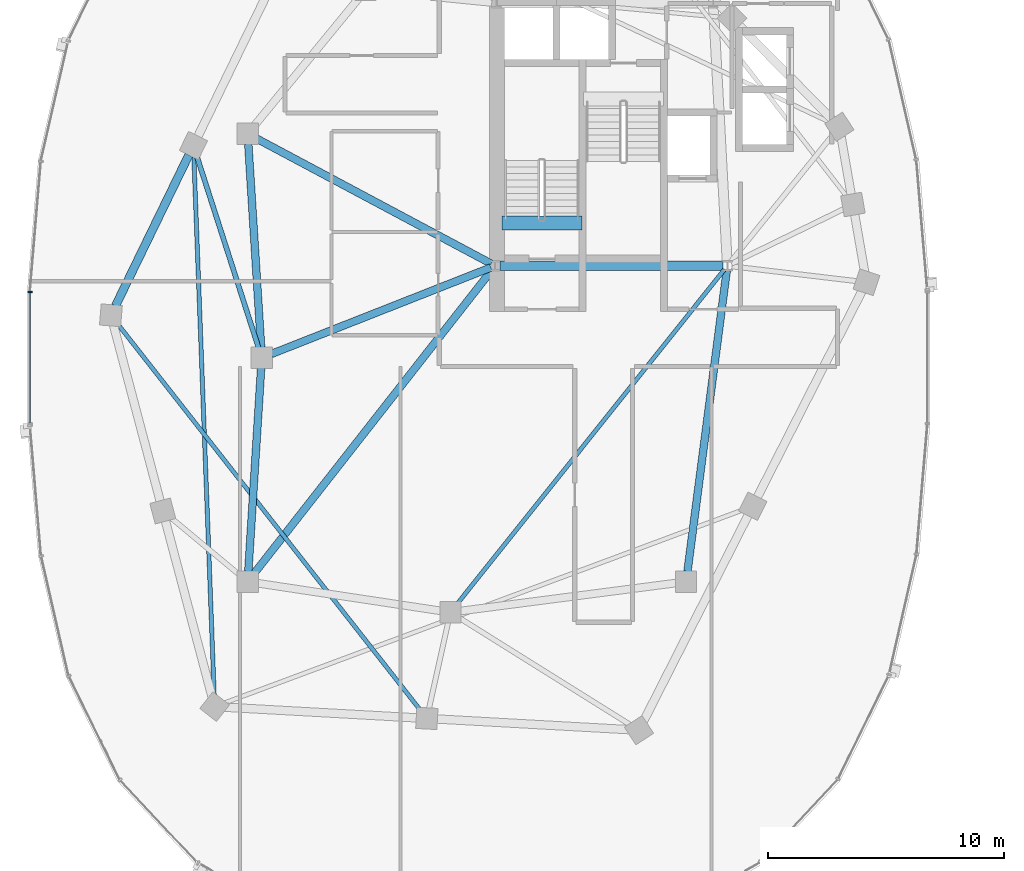
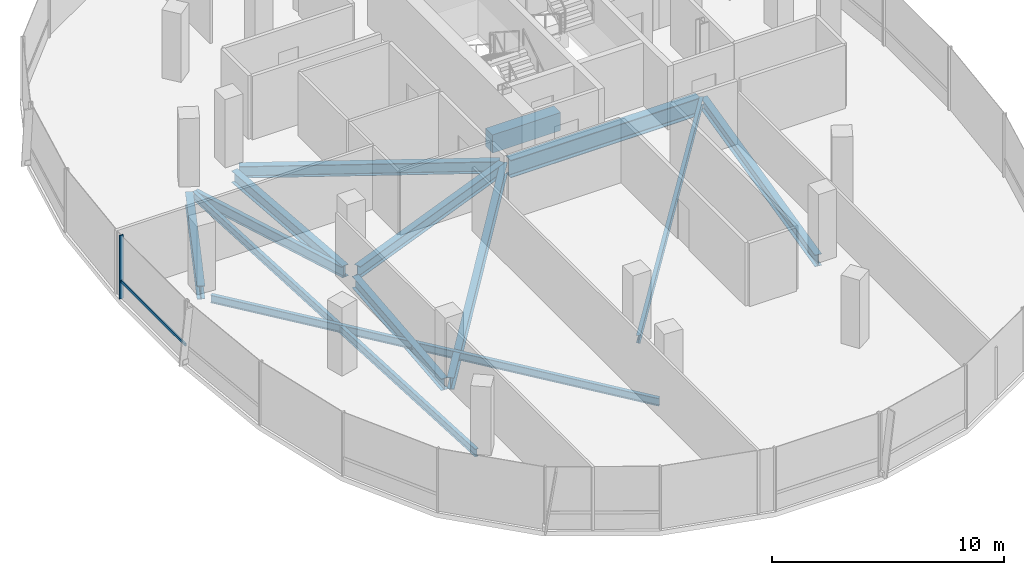
# One storey, part 4 of 25: 13 beams, 2 members, 1 element without a shape of its own.
"""IFC4 building model written with IfcOpenShell, lengths in metres."""

from ifc_helpers import new_model, si_unit, direction, frame, origin, origin_2d, place, context, subcontext, project, spatial, rectangle, i_section, extrude, material, material_profile, profile_set, type_object, element, aggregate, save


model = new_model("IFC4")

# Units and contexts
model_context = context("Model", 3, precision=1e-05, world=origin(), true_north=direction((0.0, 1.0)))
body_context = subcontext(model_context, "Body", "Model", "MODEL_VIEW")
ifc_project = project(units=[si_unit("LENGTHUNIT", "METRE"), si_unit("AREAUNIT", "SQUARE_METRE"), si_unit("VOLUMEUNIT", "CUBIC_METRE"), si_unit("PLANEANGLEUNIT", "RADIAN"), si_unit("MASSUNIT", "GRAM", prefix="KILO"), si_unit("THERMODYNAMICTEMPERATUREUNIT", "KELVIN"), si_unit("POWERUNIT", "WATT")], contexts=[model_context])

# Site, building, storey
site_placement = place(None, origin())
site = spatial("IfcSite", under=ifc_project, at=site_placement, CompositionType="ELEMENT")
building_placement = place(site_placement, origin())
building = spatial("IfcBuilding", under=site, at=building_placement, Name="Cundina Bronze Exchange", CompositionType="ELEMENT")
storey_placement = place(building_placement, frame((0.0, 0.0, 195.39990234375)))
storey = spatial("IfcBuildingStorey", under=building, at=storey_placement, Name="L51", CompositionType="ELEMENT", Elevation=195.39990234375)

# Beams
ifc_material_1 = material(Name="Concrete C60/75", Category="concrete")
ifc_material_profile_1 = material_profile(ifc_material_1, rectangle(XDim=0.60009765625, YDim=0.949951171875, at=origin_2d()), Name="RC600X950", Category="concrete")
ifc_profile_set_1 = profile_set([ifc_material_profile_1], Name="Concrete C60/75")
beam_type_1 = type_object("IfcBeamType", Name="BM-COUP-RC950", PredefinedType="LINTEL", material=ifc_profile_set_1)
beam_1_placement = place(storey_placement, frame((-31.02001953125, 5.719970703125, -0.474853515625), z_axis=(1.0, 0.0, 0.0), x_axis=(0.0, 1.0, 0.0)))
element("IfcBeam", 1, at=beam_1_placement, inside=storey, type_object=beam_type_1, Name="L51 Stair W1 Landing Header Beam", PredefinedType="LINTEL", context=body_context, shape_type="SweptSolid", body=[
    extrude(rectangle(XDim=0.60009765625, YDim=0.949951171875, at=origin_2d()), origin(), (0.0, 0.0, 1.0), 3.39990234375),
])
ifc_material_2 = material(Name="Steel ASTM A992 Grade 50", Category="steel")
ifc_material_profile_2 = material_profile(ifc_material_2, i_section(OverallWidth=0.2119140625, OverallDepth=0.5439453125, WebThickness=0.01318359375, FlangeThickness=0.021240234375, FilletRadius=0.013916015625, at=origin_2d()), Name="W21X83", Category="steel")
ifc_profile_set_2 = profile_set([ifc_material_profile_2], Name="Steel ASTM A992 Grade 50")
beam_type_2 = type_object("IfcBeamType", Name="BM-FLR-W21A", PredefinedType="BEAM", material=ifc_profile_set_2)
beam_2_placement = place(storey_placement, frame((-41.334228515625, 0.4169921875, -0.531982421875), z_axis=(-0.306727566953, 0.951797352208, 0.0), x_axis=(-0.951797352208, -0.306727566953, 0.0)))
element("IfcBeam", 2, at=beam_2_placement, inside=storey, type_object=beam_type_2, Name="L51 Leg W Radial Floor Beam 07", PredefinedType="BEAM", context=body_context, shape_type="SweptSolid", body=[
    extrude(i_section(OverallWidth=0.2119140625, OverallDepth=0.5439453125, WebThickness=0.01318359375, FlangeThickness=0.021240234375, FilletRadius=0.013916015625, at=origin_2d()), origin(), (0.0, 0.0, 1.0), 8.57958984375),
])
ifc_material_profile_3 = material_profile(ifc_material_2, i_section(OverallWidth=0.178955078125, OverallDepth=0.409912109375, WebThickness=0.0087890625, FlangeThickness=0.014404296875, FilletRadius=0.010986328125, at=origin_2d()), Name="W16X45", Category="steel")
ifc_profile_set_3 = profile_set([ifc_material_profile_3], Name="Steel ASTM A992 Grade 50")
beam_type_3 = type_object("IfcBeamType", Name="BM-JST-W16", PredefinedType="JOIST", material=ifc_profile_set_3)
beam_3_placement = place(storey_placement, frame((-21.572509765625, 3.746826171875, -0.46484375), z_axis=(-0.624364266872, -0.781133319129, 0.0), x_axis=(0.781133319129, -0.624364266872, 0.0)))
element("IfcBeam", 3, at=beam_3_placement, inside=storey, type_object=beam_type_3, Name="L51 W Interior Core-to-Ring Joist 2", PredefinedType="JOIST", context=body_context, shape_type="SweptSolid", body=[
    extrude(i_section(OverallWidth=0.178955078125, OverallDepth=0.409912109375, WebThickness=0.0087890625, FlangeThickness=0.014404296875, FilletRadius=0.010986328125, at=origin_2d()), origin(), (0.0, 0.0, 1.0), 18.184814453125),
])
beam_4_placement = place(storey_placement, frame((-44.08349609375, 8.562255859375, -0.46484375), z_axis=(0.037790216102, -0.999285694667, 0.0), x_axis=(0.999285694667, 0.037790216102, 0.0)))
element("IfcBeam", 4, at=beam_4_placement, inside=storey, type_object=beam_type_3, Name="L51 Leg W Lobe Floor Joist 07-10", PredefinedType="JOIST", context=body_context, shape_type="SweptSolid", body=[
    extrude(i_section(OverallWidth=0.178955078125, OverallDepth=0.409912109375, WebThickness=0.0087890625, FlangeThickness=0.014404296875, FilletRadius=0.010986328125, at=origin_2d()), origin(), (0.0, 0.0, 1.0), 22.94091796875),
])
beam_5_placement = place(storey_placement, frame((-47.329833984375, 1.455078125, -0.46484375), z_axis=(0.616810493522, -0.787111691618, 0.0), x_axis=(0.787111691618, 0.616810493522, 0.0)))
element("IfcBeam", 5, at=beam_5_placement, inside=storey, type_object=beam_type_3, Name="L51 Leg W Lobe Floor Joist 08-11", PredefinedType="JOIST", context=body_context, shape_type="SweptSolid", body=[
    extrude(i_section(OverallWidth=0.178955078125, OverallDepth=0.409912109375, WebThickness=0.0087890625, FlangeThickness=0.014404296875, FilletRadius=0.010986328125, at=origin_2d()), origin(), (0.0, 0.0, 1.0), 20.8486328125),
])
ifc_material_profile_4 = material_profile(ifc_material_2, i_section(OverallWidth=0.324951171875, OverallDepth=0.615966796875, WebThickness=0.013916015625, FlangeThickness=0.021484375, FilletRadius=0.01611328125, at=origin_2d()), Name="W24X117", Category="steel")
ifc_profile_set_4 = profile_set([ifc_material_profile_4], Name="Steel ASTM A992 Grade 50")
beam_type_4 = type_object("IfcBeamType", Name="BM-RING-W24", PredefinedType="USERDEFINED", material=ifc_profile_set_4)
for number, where, z_axis, x_axis, name in (
    (6, (-41.7724609375, 9.06298828125, -0.56787109375), (0.063046519736, -0.998010589297, 0.0), (0.998010589297, 0.063046519736, 0.0), "L51 W Inner Structural Ring Girder 03"),
    (7, (-41.2275390625, -0.43701171875, -0.56787109375), (-0.063046519736, -0.998010589297, 0.0), (0.998010589297, -0.063046519736, 0.0), "L51 W Inner Structural Ring Girder 04"),
):
    element("IfcBeam", number, at=place(storey_placement, frame(where, z_axis=z_axis, x_axis=x_axis)), inside=storey, type_object=beam_type_4, Name=name, ObjectType="GIRDER", PredefinedType="USERDEFINED", context=body_context, shape_type="SweptSolid", body=[
        extrude(i_section(OverallWidth=0.324951171875, OverallDepth=0.615966796875, WebThickness=0.013916015625, FlangeThickness=0.021484375, FilletRadius=0.01611328125, at=origin_2d()), origin(), (0.0, 0.0, 1.0), 8.64306640625),
    ])
beam_6_placement = place(storey_placement, frame((-23.143310546875, -9.065673828125, -0.56787109375), z_axis=(0.129501251979, 0.991579258424, 0.0), x_axis=(-0.991579258424, 0.129501251979, 0.0)))
element("IfcBeam", 8, at=beam_6_placement, inside=storey, type_object=beam_type_4, Name="L51 W Inner Structural Ring Girder 07", ObjectType="GIRDER", PredefinedType="USERDEFINED", context=body_context, shape_type="SweptSolid", body=[
    extrude(i_section(OverallWidth=0.324951171875, OverallDepth=0.615966796875, WebThickness=0.013916015625, FlangeThickness=0.021484375, FilletRadius=0.01611328125, at=origin_2d()), origin(), (0.0, 0.0, 1.0), 12.8798828125),
])
beam_7_placement = place(storey_placement, frame((-31.482421875, 3.828125, -0.56787109375), z_axis=(-0.930404106569, -0.366535398673, 0.0), x_axis=(0.366535398673, -0.930404106569, 0.0)))
element("IfcBeam", 9, at=beam_7_placement, inside=storey, type_object=beam_type_4, Name="L51 W Core-to-Waist Tie Beam 1", ObjectType="GIRDER", PredefinedType="USERDEFINED", context=body_context, shape_type="SweptSolid", body=[
    extrude(i_section(OverallWidth=0.324951171875, OverallDepth=0.615966796875, WebThickness=0.013916015625, FlangeThickness=0.021484375, FilletRadius=0.01611328125, at=origin_2d()), origin(), (0.0, 0.0, 1.0), 10.00634765625),
])
beam_8_placement = place(storey_placement, frame((-31.472900390625, 3.9921875, -0.56787109375), z_axis=(-0.882350541683, 0.470592734317, 0.0), x_axis=(-0.470592734317, -0.882350541683, 0.0)))
element("IfcBeam", 10, at=beam_8_placement, inside=storey, type_object=beam_type_4, Name="L51 W Core-to-Waist Tie Beam 2", ObjectType="GIRDER", PredefinedType="USERDEFINED", context=body_context, shape_type="SweptSolid", body=[
    extrude(i_section(OverallWidth=0.324951171875, OverallDepth=0.615966796875, WebThickness=0.013916015625, FlangeThickness=0.021484375, FilletRadius=0.01611328125, at=origin_2d()), origin(), (0.0, 0.0, 1.0), 11.26611328125),
])
beam_9_placement = place(storey_placement, frame((-31.4208984375, 3.74560546875, -0.56787109375), z_axis=(-0.616782900053, -0.787133314123, 0.0), x_axis=(0.787133314123, -0.616782900053, 0.0)))
element("IfcBeam", 11, at=beam_9_placement, inside=storey, type_object=beam_type_4, Name="L51 W Core-to-Waist Tie Beam 3", ObjectType="GIRDER", PredefinedType="USERDEFINED", context=body_context, shape_type="SweptSolid", body=[
    extrude(i_section(OverallWidth=0.324951171875, OverallDepth=0.615966796875, WebThickness=0.013916015625, FlangeThickness=0.021484375, FilletRadius=0.01611328125, at=origin_2d()), origin(), (0.0, 0.0, 1.0), 16.3896484375),
])
ifc_material_profile_5 = material_profile(ifc_material_2, i_section(OverallWidth=0.35498046875, OverallDepth=0.695068359375, WebThickness=0.015380859375, FlangeThickness=0.02490234375, FilletRadius=0.01806640625, at=origin_2d()), Name="W27X146", Category="steel")
ifc_profile_set_5 = profile_set([ifc_material_profile_5], Name="Steel ASTM A992 Grade 50")
beam_type_5 = type_object("IfcBeamType", Name="BM-RING-W27", PredefinedType="USERDEFINED", material=ifc_profile_set_5)
beam_10_placement = place(storey_placement, frame((-44.29150390625, 8.606201171875, -0.607421875), z_axis=(-0.437173087764, -0.89937739094, 0.0), x_axis=(0.89937739094, -0.437173087764, 0.0)))
element("IfcBeam", 12, at=beam_10_placement, inside=storey, type_object=beam_type_5, Name="L51 W Perimeter Ring Girder 07", ObjectType="GIRDER", PredefinedType="USERDEFINED", context=body_context, shape_type="SweptSolid", body=[
    extrude(i_section(OverallWidth=0.35498046875, OverallDepth=0.695068359375, WebThickness=0.015380859375, FlangeThickness=0.02490234375, FilletRadius=0.01806640625, at=origin_2d()), origin(), (0.0, 0.0, 1.0), 7.1298828125),
])
ifc_material_profile_6 = material_profile(ifc_material_2, i_section(OverallWidth=0.41796875, OverallDepth=0.927001953125, WebThickness=0.019287109375, FlangeThickness=0.031982421875, FilletRadius=0.02392578125, at=origin_2d()), Name="W36X231", Category="steel")
ifc_profile_set_6 = profile_set([ifc_material_profile_6], Name="Steel ASTM A992 Grade 50")
beam_type_6 = type_object("IfcBeamType", Name="BM-WRN-W36B", PredefinedType="USERDEFINED", material=ifc_profile_set_6)
beam_11_placement = place(storey_placement, frame((-31.10400390625, 3.89990234375, -0.723388671875), z_axis=(1.0, 0.0, 0.0), x_axis=(0.0, 1.0, 0.0)))
element("IfcBeam", 13, at=beam_11_placement, inside=storey, type_object=beam_type_6, Name="L51 W Core Perimeter Tie Girder 1", ObjectType="GIRDER", PredefinedType="USERDEFINED", context=body_context, shape_type="SweptSolid", body=[
    extrude(i_section(OverallWidth=0.41796875, OverallDepth=0.927001953125, WebThickness=0.019287109375, FlangeThickness=0.031982421875, FilletRadius=0.02392578125, at=origin_2d()), origin(), (0.0, 0.0, 1.0), 9.4580078125),
])

# Curtain wall, members
ifc_material_3 = material(Name="Anodised Bronze Aluminium 6063-T6", Category="aluminium")
curtain_wall_type = type_object("IfcCurtainWallType", Name="CWS-UPP-OFF", PredefinedType="NOTDEFINED", material=ifc_material_3)
curtain_wall_placement = place(storey_placement, origin())
curtain_wall = element("IfcCurtainWall", 14, at=curtain_wall_placement, inside=storey, type_object=curtain_wall_type, Name="L51 CW-05 Curtain Wall Run CWR-L51-W2", PredefinedType="NOTDEFINED")
ifc_material_profile_7 = material_profile(ifc_material_3, rectangle(XDim=0.070068359375, YDim=0.18994140625, at=origin_2d()), Name="AL70X190", Category="aluminium")
ifc_profile_set_7 = profile_set([ifc_material_profile_7], Name="Anodised Bronze Aluminium 6063-T6")
member_type_1 = type_object("IfcMemberType", Name="CWM-MUL-190", PredefinedType="MULLION", material=ifc_profile_set_7)
member_1_placement = place(storey_placement, frame((-51.033935546875, 2.794921875, 0.0), z_axis=(0.0, 0.0, 1.0), x_axis=(0.0, -1.0, 0.0)))
member_1 = element("IfcMember", 15, at=member_1_placement, type_object=member_type_1, Name="CW-05 Mullion 7", PredefinedType="MULLION", context=body_context, shape_type="SweptSolid", body=[
    extrude(rectangle(XDim=0.070068359375, YDim=0.18994140625, at=origin_2d()), origin(), (0.0, 0.0, 1.0), 3.340087890625),
])
ifc_material_profile_8 = material_profile(ifc_material_3, rectangle(XDim=0.06494140625, YDim=0.14990234375, at=origin_2d()), Name="AL65X150", Category="aluminium")
ifc_profile_set_8 = profile_set([ifc_material_profile_8], Name="Anodised Bronze Aluminium 6063-T6")
member_type_2 = type_object("IfcMemberType", Name="CWM-TRN-150", PredefinedType="USERDEFINED", material=ifc_profile_set_8)
member_2_placement = place(storey_placement, frame((-51.033935546875, 2.756591796875, 0.920166015625), z_axis=(0.0, -1.0, 0.0), x_axis=(1.0, 0.0, 0.0)))
member_2 = element("IfcMember", 16, at=member_2_placement, type_object=member_type_2, Name="CW-05 Spandrel Transom 7", ObjectType="TRANSOM", PredefinedType="USERDEFINED", context=body_context, shape_type="SweptSolid", body=[
    extrude(rectangle(XDim=0.06494140625, YDim=0.14990234375, at=origin_2d()), origin(), (0.0, 0.0, 1.0), 5.51318359375),
])
aggregate(curtain_wall, [member_1, member_2])

save(model, "model.ifc")
